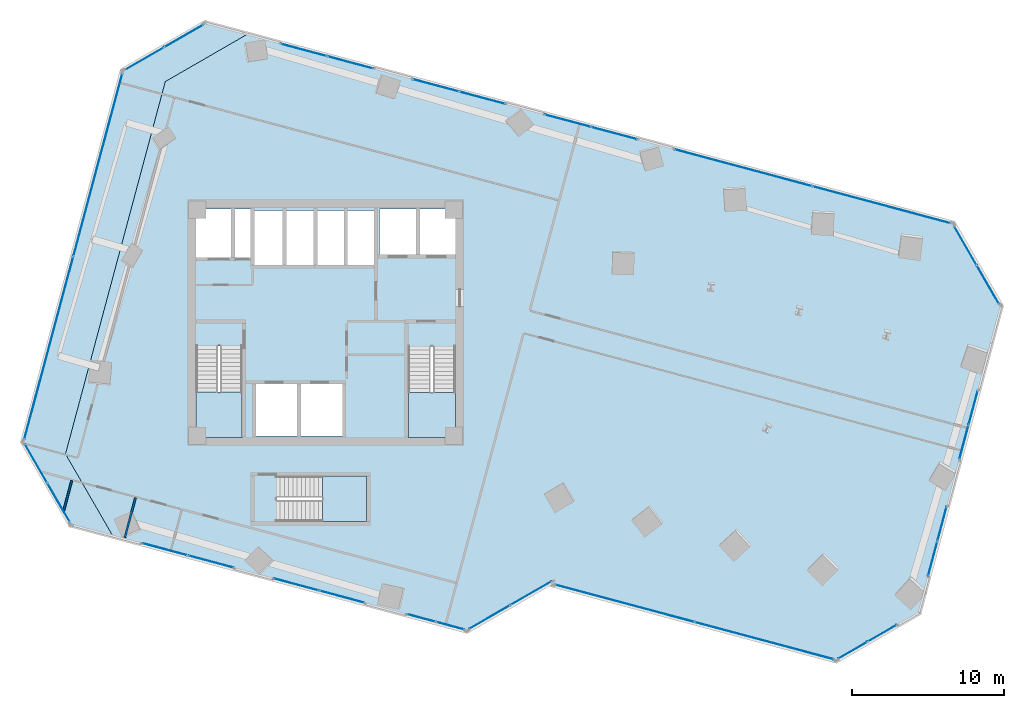
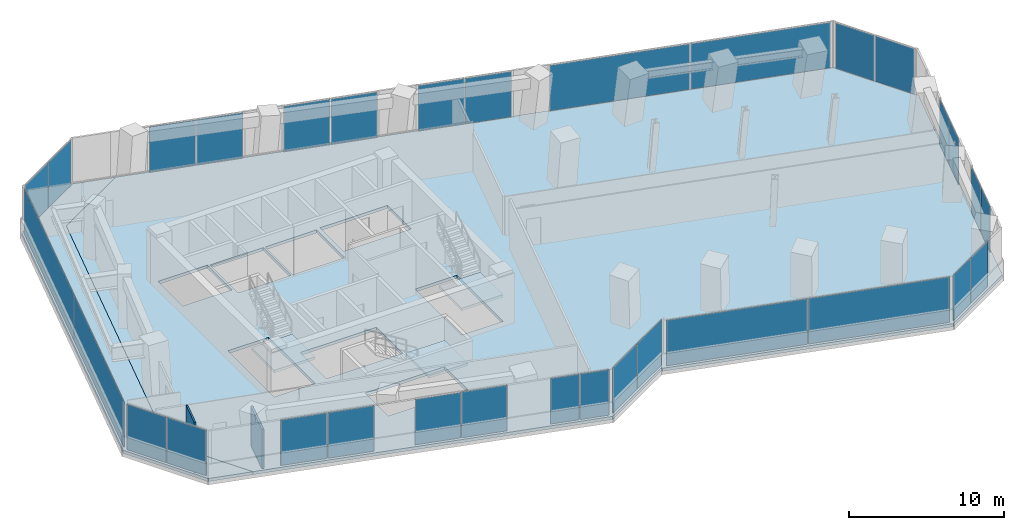
# One storey, part 19 of 26: 32 plates, 5 slabs, 2 walls, 19 elements without a shape of their own.
"""IFC4 building model written with IfcOpenShell, lengths in metres."""

from ifc_helpers import new_model, si_unit, direction, frame, frame_2d, origin, origin_2d, place, context, subcontext, project, spatial, polyline, rectangle, outline, extrude, source, transform, mapped, material, layer, layer_set, type_object, element, aggregate, save


model = new_model("IFC4")

# Units and contexts
model_context = context("Model", 3, precision=1e-05, world=origin(), true_north=direction((0.0, 1.0)))
body_context = subcontext(model_context, "Body", "Model", "MODEL_VIEW")
ifc_project = project(units=[si_unit("LENGTHUNIT", "METRE"), si_unit("AREAUNIT", "SQUARE_METRE"), si_unit("VOLUMEUNIT", "CUBIC_METRE"), si_unit("PLANEANGLEUNIT", "RADIAN"), si_unit("MASSUNIT", "GRAM", prefix="KILO")], contexts=[model_context])

# Site, building, storey
site_placement = place(None, origin())
site = spatial("IfcSite", under=ifc_project, at=site_placement, CompositionType="ELEMENT")
building_placement = place(site_placement, origin())
building = spatial("IfcBuilding", under=site, at=building_placement, Name="Torre Montelarca", CompositionType="ELEMENT")
storey_placement = place(building_placement, frame((0.0, 0.0, 104.199951171875)))
storey = spatial("IfcBuildingStorey", under=building, at=storey_placement, Name="L23", CompositionType="ELEMENT", Elevation=104.199951171875)

# Slabs
ifc_material_1 = material(Name="Concrete C40/50", Category="concrete")
ifc_layer_1 = layer(ifc_material_1, 0.239990234375, Name="Concrete C40/50", Category="concrete")
ifc_layer_set_1 = layer_set([ifc_layer_1], Name="Concrete C40/50")
slab_type_1 = type_object("IfcSlabType", Name="SL-FLR-240", PredefinedType="FLOOR", material=ifc_layer_set_1)
slab_1_placement = place(storey_placement, frame((0.0, 0.0, -0.239990234375)))
element("IfcSlab", 1, at=slab_1_placement, inside=storey, type_object=slab_type_1, Name="L23 Structural Floor Slab", PredefinedType="FLOOR", context=body_context, shape_type="SweptSolid", body=[
    extrude(outline(polyline([(27.318115234375, 11.59912109375), (32.829345703125, 14.781005859375), (32.8037109375, 14.684326171875), (51.63916015625, 9.637451171875), (57.150390625, 12.8193359375), (62.585693359375, 33.10400390625), (59.40380859375, 38.615234375), (12.942626953125, 51.064453125), (7.431396484375, 47.88232421875), (0.857421875, 23.347900390625), (4.039306640625, 17.836669921875), (27.318115234375, 11.59912109375)]), holes=[polyline([(20.699951171875, 18.89990234375), (14.760009765625, 18.89990234375), (14.760009765625, 21.889892578125), (20.699951171875, 21.889892578125), (20.699951171875, 18.89990234375)]), polyline([(19.10009765625, 24.550048828125), (13.39990234375, 24.550048828125), (13.39990234375, 27.949951171875), (19.10009765625, 27.949951171875), (19.10009765625, 24.550048828125)]), polyline([(23.43994140625, 24.449951171875), (23.43994140625, 30.429931640625), (26.550048828125, 30.429931640625), (26.550048828125, 24.449951171875), (23.43994140625, 24.449951171875)]), polyline([(9.449951171875, 24.449951171875), (9.449951171875, 30.4599609375), (12.5, 30.4599609375), (12.5, 24.449951171875), (9.449951171875, 24.449951171875)]), polyline([(17.25, 35.800048828125), (13.300048828125, 35.800048828125), (13.300048828125, 39.39990234375), (17.25, 39.39990234375), (17.25, 35.800048828125)]), polyline([(21.25, 35.800048828125), (17.39990234375, 35.800048828125), (17.39990234375, 39.39990234375), (21.25, 39.39990234375), (21.25, 35.800048828125)]), polyline([(13.1201171875, 36.300048828125), (9.449951171875, 36.300048828125), (9.449951171875, 39.5), (13.1201171875, 39.5), (13.1201171875, 36.300048828125)]), polyline([(26.60009765625, 36.449951171875), (21.550048828125, 36.449951171875), (21.550048828125, 39.5), (26.60009765625, 39.5), (26.60009765625, 36.449951171875)])]), origin(), (0.0, 0.0, 1.0), 0.239990234375),
])
slab_2_placement = place(storey_placement, frame((0.0, 0.0, -0.239990234375)))
element("IfcSlab", 2, at=slab_2_placement, inside=storey, type_object=slab_type_1, Name="L23 Sliding Tray Winter Garden Floor Slab W1", PredefinedType="FLOOR", context=body_context, shape_type="SweptSolid", body=[
    extrude(outline(polyline([(4.039306640625, 17.836669921875), (0.857421875, 23.347900390625), (7.431396484375, 47.88232421875), (12.942626953125, 51.064453125), (10.044921875, 51.8408203125), (4.533447265625, 48.658935546875), (-2.04052734375, 24.12451171875), (1.1416015625, 18.613037109375), (4.039306640625, 17.836669921875)])), origin(), (0.0, 0.0, 1.0), 0.239990234375),
])

# Stair, slab
stair_type_1 = type_object("IfcStairType", Name="ST-CORE-ST1", PredefinedType="HALF_TURN_STAIR", material=ifc_material_1)
stair_1_placement = place(storey_placement, origin())
stair_1 = element("IfcStair", 3, at=stair_1_placement, inside=storey, type_object=stair_type_1, Name="L23 Protected Exit Stair ST1", PredefinedType="HALF_TURN_STAIR")
ifc_layer_2 = layer(ifc_material_1, 0.199951171875, Name="Concrete C40/50", Category="concrete")
ifc_layer_set_2 = layer_set([ifc_layer_2], Name="Concrete C40/50")
slab_type_2 = type_object("IfcSlabType", Name="SL-ST-LAND-ST1", PredefinedType="LANDING", material=ifc_layer_set_2)
slab_3_placement = place(storey_placement, frame((0.0, 0.0, 1.900146484375)))
slab_3 = element("IfcSlab", 4, at=slab_3_placement, type_object=slab_type_2, Name="ST1 landing 1", PredefinedType="LANDING", context=body_context, shape_type="SweptSolid", body=[
    extrude(outline(polyline([(9.449951171875, 27.419921875), (9.449951171875, 24.449951171875), (12.5, 24.449951171875), (12.5, 27.419921875), (9.449951171875, 27.419921875)])), origin(), (0.0, 0.0, 1.0), 0.199951171875),
])
aggregate(stair_1, [slab_3])

stair_type_2 = type_object("IfcStairType", Name="ST-CORE-ST2", PredefinedType="HALF_TURN_STAIR", material=ifc_material_1)
stair_2_placement = place(storey_placement, origin())
stair_2 = element("IfcStair", 5, at=stair_2_placement, inside=storey, type_object=stair_type_2, Name="L23 Protected Exit Stair ST2", PredefinedType="HALF_TURN_STAIR")
ifc_layer_3 = layer(ifc_material_1, 0.199951171875, Name="Concrete C40/50", Category="concrete")
ifc_layer_set_3 = layer_set([ifc_layer_3], Name="Concrete C40/50")
slab_type_3 = type_object("IfcSlabType", Name="SL-ST-LAND-ST2", PredefinedType="LANDING", material=ifc_layer_set_3)
slab_4_placement = place(storey_placement, frame((0.0, 0.0, 1.900146484375)))
slab_4 = element("IfcSlab", 6, at=slab_4_placement, type_object=slab_type_3, Name="ST2 landing 1", PredefinedType="LANDING", context=body_context, shape_type="SweptSolid", body=[
    extrude(outline(polyline([(23.43994140625, 27.389892578125), (23.43994140625, 24.449951171875), (26.550048828125, 24.449951171875), (26.550048828125, 27.389892578125), (23.43994140625, 27.389892578125)])), origin(), (0.0, 0.0, 1.0), 0.199951171875),
])
aggregate(stair_2, [slab_4])

stair_type_3 = type_object("IfcStairType", Name="ST-CORE-ST3", PredefinedType="HALF_TURN_STAIR", material=ifc_material_1)
stair_3_placement = place(storey_placement, origin())
stair_3 = element("IfcStair", 7, at=stair_3_placement, inside=storey, type_object=stair_type_3, Name="L23 Low-Rise Exit Stair ST3", PredefinedType="HALF_TURN_STAIR")
ifc_layer_4 = layer(ifc_material_1, 0.199951171875, Name="Concrete C40/50", Category="concrete")
ifc_layer_set_4 = layer_set([ifc_layer_4], Name="Concrete C40/50")
slab_type_4 = type_object("IfcSlabType", Name="SL-ST-LAND-ST3", PredefinedType="LANDING", material=ifc_layer_set_4)
slab_5_placement = place(storey_placement, frame((0.0, 0.0, 1.900146484375)))
slab_5 = element("IfcSlab", 8, at=slab_5_placement, type_object=slab_type_4, Name="ST3 landing 1", PredefinedType="LANDING", context=body_context, shape_type="SweptSolid", body=[
    extrude(outline(polyline([(17.800048828125, 18.89990234375), (20.699951171875, 18.89990234375), (20.699951171875, 21.889892578125), (17.800048828125, 21.889892578125), (17.800048828125, 18.89990234375)])), origin(), (0.0, 0.0, 1.0), 0.199951171875),
])
aggregate(stair_3, [slab_5])

# Curtain wall, plates
ifc_material_2 = material(Name="Insulated low-E laminated glass", Category="glass")
curtain_wall_type = type_object("IfcCurtainWallType", Name="CW-SYS-Z1", PredefinedType="USERDEFINED", material=ifc_material_2)
curtain_wall_1_placement = place(storey_placement, origin())
curtain_wall_1 = element("IfcCurtainWall", 9, at=curtain_wall_1_placement, inside=storey, type_object=curtain_wall_type, Name="L23 Curtain Wall Run CW-T3-L23-E01-B2", ObjectType="UNITISED GLAZING", PredefinedType="USERDEFINED")
ifc_layer_5 = layer(ifc_material_2, 0.028076171875, Name="Insulated low-E laminated glass", Category="glass")
ifc_layer_set_5 = layer_set([ifc_layer_5], Name="Insulated low-E laminated glass")
plate_type = type_object("IfcPlateType", Name="CWP-GLZ-28", PredefinedType="CURTAIN_PANEL", material=ifc_layer_set_5)
shared_shape_1 = source(origin(), body_context, "Body", "SweptSolid", [
    extrude(rectangle(XDim=3.046630859375, YDim=0.028076171875, at=origin_2d()), origin(), (0.0, 0.0, 1.0), 3.590087890625),
])
plate_1_placement = place(storey_placement, frame((16.068115234375, 14.748046875, 0.06494140625), z_axis=(0.0, 0.0, 1.0), x_axis=(0.965924911302, -0.258822459858, 0.0)))
plate_1 = element("IfcPlate", 10, at=plate_1_placement, type_object=plate_type, Name="CW panel 1.1", PredefinedType="CURTAIN_PANEL", context=body_context, shape_type="MappedRepresentation", body=[
    mapped(shared_shape_1, transform((0.0, 0.0, 0.0), scale=1.0)),
])
plate_2_placement = place(storey_placement, frame((19.073974609375, 13.942626953125, 0.06494140625), z_axis=(0.0, 0.0, 1.0), x_axis=(0.965924911302, -0.258822459858, 0.0)))
plate_2 = element("IfcPlate", 11, at=plate_2_placement, type_object=plate_type, Name="CW panel 2.1", PredefinedType="CURTAIN_PANEL", context=body_context, shape_type="MappedRepresentation", body=[
    mapped(shared_shape_1, transform((0.0, 0.0, 0.0), scale=1.0)),
])
aggregate(curtain_wall_1, [plate_1, plate_2])

curtain_wall_2_placement = place(storey_placement, origin())
curtain_wall_2 = element("IfcCurtainWall", 12, at=curtain_wall_2_placement, inside=storey, type_object=curtain_wall_type, Name="L23 Curtain Wall Run CW-T3-L23-E02-B1", ObjectType="UNITISED GLAZING", PredefinedType="USERDEFINED")
shared_shape_2 = source(origin(), body_context, "Body", "SweptSolid", [
    extrude(rectangle(XDim=3.102294921875, YDim=0.028076171875, at=origin_2d()), origin(), (0.0, 0.0, 1.0), 3.590087890625),
])
plate_3_placement = place(storey_placement, frame((28.79638671875, 12.6025390625, 0.06494140625), z_axis=(0.0, 0.0, 1.0), x_axis=(0.86602477194, 0.500001094386, 0.0)))
plate_3 = element("IfcPlate", 13, at=plate_3_placement, type_object=plate_type, Name="CW panel 1.1", PredefinedType="CURTAIN_PANEL", context=body_context, shape_type="MappedRepresentation", body=[
    mapped(shared_shape_2, transform((0.0, 0.0, 0.0), scale=1.0)),
])
plate_4_placement = place(storey_placement, frame((31.539306640625, 14.186279296875, 0.06494140625), z_axis=(0.0, 0.0, 1.0), x_axis=(0.86602477194, 0.500001094386, 0.0)))
plate_4 = element("IfcPlate", 14, at=plate_4_placement, type_object=plate_type, Name="CW panel 2.1", PredefinedType="CURTAIN_PANEL", context=body_context, shape_type="MappedRepresentation", body=[
    mapped(shared_shape_2, transform((0.0, 0.0, 0.0), scale=1.0)),
])
aggregate(curtain_wall_2, [plate_3, plate_4])

curtain_wall_3_placement = place(storey_placement, origin())
curtain_wall_3 = element("IfcCurtainWall", 15, at=curtain_wall_3_placement, inside=storey, type_object=curtain_wall_type, Name="L23 Curtain Wall Run CW-T3-L23-E07-B1", ObjectType="UNITISED GLAZING", PredefinedType="USERDEFINED")
shared_shape_3 = source(origin(), body_context, "Body", "SweptSolid", [
    extrude(rectangle(XDim=2.918701171875, YDim=0.028076171875, at=origin_2d()), origin(), (0.0, 0.0, 1.0), 3.590087890625),
])
plate_5_placement = place(storey_placement, frame((61.6279296875, 34.502685546875, 0.06494140625), z_axis=(0.0, 0.0, 1.0), x_axis=(-0.500008014176, 0.866020776749, 0.0)))
plate_5 = element("IfcPlate", 16, at=plate_5_placement, type_object=plate_type, Name="CW panel 1.1", PredefinedType="CURTAIN_PANEL", context=body_context, shape_type="MappedRepresentation", body=[
    mapped(shared_shape_3, transform((0.0, 0.0, 0.0), scale=1.0)),
])
plate_6_placement = place(storey_placement, frame((60.13623046875, 37.08642578125, 0.06494140625), z_axis=(0.0, 0.0, 1.0), x_axis=(-0.500008014176, 0.866020776749, 0.0)))
plate_6 = element("IfcPlate", 17, at=plate_6_placement, type_object=plate_type, Name="CW panel 2.1", PredefinedType="CURTAIN_PANEL", context=body_context, shape_type="MappedRepresentation", body=[
    mapped(shared_shape_3, transform((0.0, 0.0, 0.0), scale=1.0)),
])
aggregate(curtain_wall_3, [plate_5, plate_6])

curtain_wall_4_placement = place(storey_placement, origin())
curtain_wall_4 = element("IfcCurtainWall", 18, at=curtain_wall_4_placement, inside=storey, type_object=curtain_wall_type, Name="L23 Curtain Wall Run CW-T3-L23-E09-B1", ObjectType="UNITISED GLAZING", PredefinedType="USERDEFINED")
plate_7_placement = place(storey_placement, frame((8.646240234375, 50.88330078125, 0.06494140625), z_axis=(0.0, 0.0, 1.0), x_axis=(-0.866024921148, -0.50000083595, 0.0)))
plate_7 = element("IfcPlate", 19, at=plate_7_placement, type_object=plate_type, Name="CW panel 1.1", PredefinedType="CURTAIN_PANEL", context=body_context, shape_type="MappedRepresentation", body=[
    mapped(shared_shape_3, transform((0.0, 0.0, 0.0), scale=1.0)),
])
plate_8_placement = place(storey_placement, frame((6.062255859375, 49.391357421875, 0.06494140625), z_axis=(0.0, 0.0, 1.0), x_axis=(-0.866024921148, -0.50000083595, 0.0)))
plate_8 = element("IfcPlate", 20, at=plate_8_placement, type_object=plate_type, Name="CW panel 2.1", PredefinedType="CURTAIN_PANEL", context=body_context, shape_type="MappedRepresentation", body=[
    mapped(shared_shape_3, transform((0.0, 0.0, 0.0), scale=1.0)),
])
aggregate(curtain_wall_4, [plate_7, plate_8])

curtain_wall_5_placement = place(storey_placement, origin())
curtain_wall_5 = element("IfcCurtainWall", 21, at=curtain_wall_5_placement, inside=storey, type_object=curtain_wall_type, Name="L23 Curtain Wall Run CW-T3-L23-E11-B1", ObjectType="UNITISED GLAZING", PredefinedType="USERDEFINED")
plate_9_placement = place(storey_placement, frame((-1.082763671875, 22.7255859375, 0.06494140625), z_axis=(0.0, 0.0, 1.0), x_axis=(0.50000083595, -0.866024921148, 0.0)))
plate_9 = element("IfcPlate", 22, at=plate_9_placement, type_object=plate_type, Name="CW panel 1.1", PredefinedType="CURTAIN_PANEL", context=body_context, shape_type="MappedRepresentation", body=[
    mapped(shared_shape_3, transform((0.0, 0.0, 0.0), scale=1.0)),
])
plate_10_placement = place(storey_placement, frame((0.408935546875, 20.1416015625, 0.06494140625), z_axis=(0.0, 0.0, 1.0), x_axis=(0.50000083595, -0.866024921148, 0.0)))
plate_10 = element("IfcPlate", 23, at=plate_10_placement, type_object=plate_type, Name="CW panel 2.1", PredefinedType="CURTAIN_PANEL", context=body_context, shape_type="MappedRepresentation", body=[
    mapped(shared_shape_3, transform((0.0, 0.0, 0.0), scale=1.0)),
])
aggregate(curtain_wall_5, [plate_9, plate_10])

curtain_wall_6_placement = place(storey_placement, origin())
curtain_wall_6 = element("IfcCurtainWall", 24, at=curtain_wall_6_placement, inside=storey, type_object=curtain_wall_type, Name="L23 Curtain Wall Run CW-T3-L23-E08-B2", ObjectType="UNITISED GLAZING", PredefinedType="USERDEFINED")
shared_shape_4 = source(origin(), body_context, "Body", "SweptSolid", [
    extrude(rectangle(XDim=3.10791015625, YDim=0.028076171875, at=origin_2d()), origin(), (0.0, 0.0, 1.0), 3.590087890625),
])
plate_11_placement = place(storey_placement, frame((37.009765625, 44.481201171875, 0.06494140625), z_axis=(0.0, 0.0, 1.0), x_axis=(-0.965926675806, 0.258815874642, 0.0)))
plate_11 = element("IfcPlate", 25, at=plate_11_placement, type_object=plate_type, Name="CW panel 1.1", PredefinedType="CURTAIN_PANEL", context=body_context, shape_type="MappedRepresentation", body=[
    mapped(shared_shape_4, transform((0.0, 0.0, 0.0), scale=1.0)),
])
plate_12_placement = place(storey_placement, frame((33.945068359375, 45.30224609375, 0.06494140625), z_axis=(0.0, 0.0, 1.0), x_axis=(-0.965926675806, 0.258815874642, 0.0)))
plate_12 = element("IfcPlate", 26, at=plate_12_placement, type_object=plate_type, Name="CW panel 2.1", PredefinedType="CURTAIN_PANEL", context=body_context, shape_type="MappedRepresentation", body=[
    mapped(shared_shape_4, transform((0.0, 0.0, 0.0), scale=1.0)),
])
aggregate(curtain_wall_6, [plate_11, plate_12])

curtain_wall_7_placement = place(storey_placement, origin())
curtain_wall_7 = element("IfcCurtainWall", 27, at=curtain_wall_7_placement, inside=storey, type_object=curtain_wall_type, Name="L23 Curtain Wall Run CW-T3-L23-E08-B3", ObjectType="UNITISED GLAZING", PredefinedType="USERDEFINED")
shared_shape_5 = source(origin(), body_context, "Body", "SweptSolid", [
    extrude(rectangle(XDim=3.10693359375, YDim=0.028076171875, at=origin_2d()), origin(), (0.0, 0.0, 1.0), 3.590087890625),
])
plate_13_placement = place(storey_placement, frame((28.317138671875, 46.810302734375, 0.06494140625), z_axis=(0.0, 0.0, 1.0), x_axis=(-0.965925275703, 0.258821099911, 0.0)))
plate_13 = element("IfcPlate", 28, at=plate_13_placement, type_object=plate_type, Name="CW panel 1.1", PredefinedType="CURTAIN_PANEL", context=body_context, shape_type="MappedRepresentation", body=[
    mapped(shared_shape_5, transform((0.0, 0.0, 0.0), scale=1.0)),
])
plate_14_placement = place(storey_placement, frame((25.253173828125, 47.631103515625, 0.06494140625), z_axis=(0.0, 0.0, 1.0), x_axis=(-0.965925275703, 0.258821099911, 0.0)))
plate_14 = element("IfcPlate", 29, at=plate_14_placement, type_object=plate_type, Name="CW panel 2.1", PredefinedType="CURTAIN_PANEL", context=body_context, shape_type="MappedRepresentation", body=[
    mapped(shared_shape_5, transform((0.0, 0.0, 0.0), scale=1.0)),
])
aggregate(curtain_wall_7, [plate_13, plate_14])

curtain_wall_8_placement = place(storey_placement, origin())
curtain_wall_8 = element("IfcCurtainWall", 30, at=curtain_wall_8_placement, inside=storey, type_object=curtain_wall_type, Name="L23 Curtain Wall Run CW-T3-L23-E08-B4", ObjectType="UNITISED GLAZING", PredefinedType="USERDEFINED")
shared_shape_6 = source(origin(), body_context, "Body", "SweptSolid", [
    extrude(rectangle(XDim=3.105712890625, YDim=0.028076171875, at=origin_2d()), origin(), (0.0, 0.0, 1.0), 3.590087890625),
])
plate_15_placement = place(storey_placement, frame((19.624267578125, 49.1396484375, 0.06494140625), z_axis=(0.0, 0.0, 1.0), x_axis=(-0.965926731327, 0.258815667433, 0.0)))
plate_15 = element("IfcPlate", 31, at=plate_15_placement, type_object=plate_type, Name="CW panel 1.1", PredefinedType="CURTAIN_PANEL", context=body_context, shape_type="MappedRepresentation", body=[
    mapped(shared_shape_6, transform((0.0, 0.0, 0.0), scale=1.0)),
])
plate_16_placement = place(storey_placement, frame((16.5615234375, 49.960205078125, 0.06494140625), z_axis=(0.0, 0.0, 1.0), x_axis=(-0.965926731327, 0.258815667433, 0.0)))
plate_16 = element("IfcPlate", 32, at=plate_16_placement, type_object=plate_type, Name="CW panel 2.1", PredefinedType="CURTAIN_PANEL", context=body_context, shape_type="MappedRepresentation", body=[
    mapped(shared_shape_6, transform((0.0, 0.0, 0.0), scale=1.0)),
])
aggregate(curtain_wall_8, [plate_15, plate_16])

curtain_wall_9_placement = place(storey_placement, origin())
curtain_wall_9 = element("IfcCurtainWall", 33, at=curtain_wall_9_placement, inside=storey, type_object=curtain_wall_type, Name="L23 Curtain Wall Run CW-T3-L23-E01-B3", ObjectType="UNITISED GLAZING", PredefinedType="USERDEFINED")
shared_shape_7 = source(origin(), body_context, "Body", "SweptSolid", [
    extrude(rectangle(XDim=1.9169921875, YDim=0.028076171875, at=origin_2d()), origin(), (0.0, 0.0, 1.0), 3.590087890625),
])
plate_17_placement = place(storey_placement, frame((24.288330078125, 12.54541015625, 0.06494140625), z_axis=(0.0, 0.0, 1.0), x_axis=(0.965926115875, -0.258817964349, 0.0)))
plate_17 = element("IfcPlate", 34, at=plate_17_placement, type_object=plate_type, Name="CW panel 1.1", PredefinedType="CURTAIN_PANEL", context=body_context, shape_type="MappedRepresentation", body=[
    mapped(shared_shape_7, transform((0.0, 0.0, 0.0), scale=1.0)),
])
plate_18_placement = place(storey_placement, frame((26.202880859375, 12.032470703125, 0.06494140625), z_axis=(0.0, 0.0, 1.0), x_axis=(0.965926115875, -0.258817964349, 0.0)))
plate_18 = element("IfcPlate", 35, at=plate_18_placement, type_object=plate_type, Name="CW panel 2.1", PredefinedType="CURTAIN_PANEL", context=body_context, shape_type="MappedRepresentation", body=[
    mapped(shared_shape_7, transform((0.0, 0.0, 0.0), scale=1.0)),
])
aggregate(curtain_wall_9, [plate_17, plate_18])

curtain_wall_10_placement = place(storey_placement, origin())
curtain_wall_10 = element("IfcCurtainWall", 36, at=curtain_wall_10_placement, inside=storey, type_object=curtain_wall_type, Name="L23 Curtain Wall Run CW-T3-L23-E04-B1", ObjectType="UNITISED GLAZING", PredefinedType="USERDEFINED")
shared_shape_8 = source(origin(), body_context, "Body", "SweptSolid", [
    extrude(rectangle(XDim=9.448486328125, YDim=0.028076171875, at=origin_2d()), origin(), (0.0, 0.0, 1.0), 3.590087890625),
])
plate_19_placement = place(storey_placement, frame((37.697021484375, 13.5078125, 0.06494140625), z_axis=(0.0, 0.0, 1.0), x_axis=(0.965924671712, -0.258823354003, 0.0)))
plate_19 = element("IfcPlate", 37, at=plate_19_placement, type_object=plate_type, Name="CW panel 1.1", PredefinedType="CURTAIN_PANEL", context=body_context, shape_type="MappedRepresentation", body=[
    mapped(shared_shape_8, transform((0.0, 0.0, 0.0), scale=1.0)),
])
plate_20_placement = place(storey_placement, frame((46.886474609375, 11.04541015625, 0.06494140625), z_axis=(0.0, 0.0, 1.0), x_axis=(0.965924671712, -0.258823354003, 0.0)))
plate_20 = element("IfcPlate", 38, at=plate_20_placement, type_object=plate_type, Name="CW panel 2.1", PredefinedType="CURTAIN_PANEL", context=body_context, shape_type="MappedRepresentation", body=[
    mapped(shared_shape_8, transform((0.0, 0.0, 0.0), scale=1.0)),
])
aggregate(curtain_wall_10, [plate_19, plate_20])

curtain_wall_11_placement = place(storey_placement, origin())
curtain_wall_11 = element("IfcCurtainWall", 39, at=curtain_wall_11_placement, inside=storey, type_object=curtain_wall_type, Name="L23 Curtain Wall Run CW-T3-L23-E10-B1", ObjectType="UNITISED GLAZING", PredefinedType="USERDEFINED")
shared_shape_9 = source(origin(), body_context, "Body", "SweptSolid", [
    extrude(rectangle(XDim=12.4365234375, YDim=0.028076171875, at=origin_2d()), origin(), (0.0, 0.0, 1.0), 3.590087890625),
])
plate_21_placement = place(storey_placement, frame((2.989990234375, 42.395751953125, 0.06494140625), z_axis=(0.0, 0.0, 1.0), x_axis=(-0.258818235755, -0.965926043153, 0.0)))
plate_21 = element("IfcPlate", 40, at=plate_21_placement, type_object=plate_type, Name="CW panel 1.1", PredefinedType="CURTAIN_PANEL", context=body_context, shape_type="MappedRepresentation", body=[
    mapped(shared_shape_9, transform((0.0, 0.0, 0.0), scale=1.0)),
])
plate_22_placement = place(storey_placement, frame((-0.245849609375, 30.3203125, 0.06494140625), z_axis=(0.0, 0.0, 1.0), x_axis=(-0.258818235755, -0.965926043153, 0.0)))
plate_22 = element("IfcPlate", 41, at=plate_22_placement, type_object=plate_type, Name="CW panel 2.1", PredefinedType="CURTAIN_PANEL", context=body_context, shape_type="MappedRepresentation", body=[
    mapped(shared_shape_9, transform((0.0, 0.0, 0.0), scale=1.0)),
])
aggregate(curtain_wall_11, [plate_21, plate_22])

curtain_wall_12_placement = place(storey_placement, origin())
curtain_wall_12 = element("IfcCurtainWall", 42, at=curtain_wall_12_placement, inside=storey, type_object=curtain_wall_type, Name="L23 Curtain Wall Run CW-T3-L23-E05-B1", ObjectType="UNITISED GLAZING", PredefinedType="USERDEFINED")
shared_shape_10 = source(origin(), body_context, "Body", "SweptSolid", [
    extrude(rectangle(XDim=2.17919921875, YDim=0.028076171875, at=origin_2d()), origin(), (0.0, 0.0, 1.0), 3.590087890625),
])
plate_23_placement = place(storey_placement, frame((52.717529296875, 10.41015625, 0.06494140625), z_axis=(0.0, 0.0, 1.0), x_axis=(0.866023576716, 0.500003164563, 0.0)))
plate_23 = element("IfcPlate", 43, at=plate_23_placement, type_object=plate_type, Name="CW panel 1.1", PredefinedType="CURTAIN_PANEL", context=body_context, shape_type="MappedRepresentation", body=[
    mapped(shared_shape_10, transform((0.0, 0.0, 0.0), scale=1.0)),
])
plate_24_placement = place(storey_placement, frame((54.6611328125, 11.532470703125, 0.06494140625), z_axis=(0.0, 0.0, 1.0), x_axis=(0.866023576716, 0.500003164563, 0.0)))
plate_24 = element("IfcPlate", 44, at=plate_24_placement, type_object=plate_type, Name="CW panel 2.1", PredefinedType="CURTAIN_PANEL", context=body_context, shape_type="MappedRepresentation", body=[
    mapped(shared_shape_10, transform((0.0, 0.0, 0.0), scale=1.0)),
])
aggregate(curtain_wall_12, [plate_23, plate_24])

curtain_wall_13_placement = place(storey_placement, origin())
curtain_wall_13 = element("IfcCurtainWall", 45, at=curtain_wall_13_placement, inside=storey, type_object=curtain_wall_type, Name="L23 Curtain Wall Run CW-T3-L23-E06-B1", ObjectType="UNITISED GLAZING", PredefinedType="USERDEFINED")
shared_shape_11 = source(origin(), body_context, "Body", "SweptSolid", [
    extrude(rectangle(XDim=2.31494140625, YDim=0.028076171875, at=origin_2d()), origin(), (0.0, 0.0, 1.0), 3.590087890625),
])
plate_25_placement = place(storey_placement, frame((57.98974609375, 16.45361328125, 0.06494140625), z_axis=(0.0, 0.0, 1.0), x_axis=(0.258813089195, 0.96592742215, 0.0)))
plate_25 = element("IfcPlate", 46, at=plate_25_placement, type_object=plate_type, Name="CW panel 1.1", PredefinedType="CURTAIN_PANEL", context=body_context, shape_type="MappedRepresentation", body=[
    mapped(shared_shape_11, transform((0.0, 0.0, 0.0), scale=1.0)),
])
plate_26_placement = place(storey_placement, frame((58.605712890625, 18.75244140625, 0.06494140625), z_axis=(0.0, 0.0, 1.0), x_axis=(0.258813089195, 0.96592742215, 0.0)))
plate_26 = element("IfcPlate", 47, at=plate_26_placement, type_object=plate_type, Name="CW panel 2.1", PredefinedType="CURTAIN_PANEL", context=body_context, shape_type="MappedRepresentation", body=[
    mapped(shared_shape_11, transform((0.0, 0.0, 0.0), scale=1.0)),
])
aggregate(curtain_wall_13, [plate_25, plate_26])

curtain_wall_14_placement = place(storey_placement, origin())
curtain_wall_14 = element("IfcCurtainWall", 48, at=curtain_wall_14_placement, inside=storey, type_object=curtain_wall_type, Name="L23 Curtain Wall Run CW-T3-L23-E06-B2", ObjectType="UNITISED GLAZING", PredefinedType="USERDEFINED")
shared_shape_12 = source(origin(), body_context, "Body", "SweptSolid", [
    extrude(rectangle(XDim=2.314208984375, YDim=0.028076171875, at=origin_2d()), origin(), (0.0, 0.0, 1.0), 3.590087890625),
])
plate_27_placement = place(storey_placement, frame((60.040771484375, 24.108154296875, 0.06494140625), z_axis=(0.0, 0.0, 1.0), x_axis=(0.258829008682, 0.965923156501, 0.0)))
plate_27 = element("IfcPlate", 49, at=plate_27_placement, type_object=plate_type, Name="CW panel 1.1", PredefinedType="CURTAIN_PANEL", context=body_context, shape_type="MappedRepresentation", body=[
    mapped(shared_shape_12, transform((0.0, 0.0, 0.0), scale=1.0)),
])
plate_28_placement = place(storey_placement, frame((60.656494140625, 26.40625, 0.06494140625), z_axis=(0.0, 0.0, 1.0), x_axis=(0.258829008682, 0.965923156501, 0.0)))
plate_28 = element("IfcPlate", 50, at=plate_28_placement, type_object=plate_type, Name="CW panel 2.1", PredefinedType="CURTAIN_PANEL", context=body_context, shape_type="MappedRepresentation", body=[
    mapped(shared_shape_12, transform((0.0, 0.0, 0.0), scale=1.0)),
])
aggregate(curtain_wall_14, [plate_27, plate_28])

curtain_wall_15_placement = place(storey_placement, origin())
curtain_wall_15 = element("IfcCurtainWall", 51, at=curtain_wall_15_placement, inside=storey, type_object=curtain_wall_type, Name="L23 Curtain Wall Run CW-T3-L23-E08-B1", ObjectType="UNITISED GLAZING", PredefinedType="USERDEFINED")
shared_shape_13 = source(origin(), body_context, "Body", "SweptSolid", [
    extrude(rectangle(XDim=9.372802734375, YDim=0.028076171875, at=origin_2d()), origin(), (0.0, 0.0, 1.0), 3.590087890625),
])
plate_29_placement = place(storey_placement, frame((54.620361328125, 39.762451171875, 0.06494140625), z_axis=(0.0, 0.0, 1.0), x_axis=(-0.965925615966, 0.258819830038, 0.0)))
plate_29 = element("IfcPlate", 52, at=plate_29_placement, type_object=plate_type, Name="CW panel 1.1", PredefinedType="CURTAIN_PANEL", context=body_context, shape_type="MappedRepresentation", body=[
    mapped(shared_shape_13, transform((0.0, 0.0, 0.0), scale=1.0)),
])
plate_30_placement = place(storey_placement, frame((45.504150390625, 42.205078125, 0.06494140625), z_axis=(0.0, 0.0, 1.0), x_axis=(-0.965925615966, 0.258819830038, 0.0)))
plate_30 = element("IfcPlate", 53, at=plate_30_placement, type_object=plate_type, Name="CW panel 2.1", PredefinedType="CURTAIN_PANEL", context=body_context, shape_type="MappedRepresentation", body=[
    mapped(shared_shape_13, transform((0.0, 0.0, 0.0), scale=1.0)),
])
aggregate(curtain_wall_15, [plate_29, plate_30])

curtain_wall_16_placement = place(storey_placement, origin())
curtain_wall_16 = element("IfcCurtainWall", 54, at=curtain_wall_16_placement, inside=storey, type_object=curtain_wall_type, Name="L23 Curtain Wall Run CW-T3-L23-E01-B1", ObjectType="UNITISED GLAZING", PredefinedType="USERDEFINED")
shared_shape_14 = source(origin(), body_context, "Body", "SweptSolid", [
    extrude(rectangle(XDim=3.08544921875, YDim=0.028076171875, at=origin_2d()), origin(), (0.0, 0.0, 1.0), 3.590087890625),
])
plate_31_placement = place(storey_placement, frame((7.393310546875, 17.072509765625, 0.06494140625), z_axis=(0.0, 0.0, 1.0), x_axis=(0.96592449078, -0.258824029239, 0.0)))
plate_31 = element("IfcPlate", 55, at=plate_31_placement, type_object=plate_type, Name="CW panel 1.1", PredefinedType="CURTAIN_PANEL", context=body_context, shape_type="MappedRepresentation", body=[
    mapped(shared_shape_14, transform((0.0, 0.0, 0.0), scale=1.0)),
])
plate_32_placement = place(storey_placement, frame((10.4365234375, 16.257080078125, 0.06494140625), z_axis=(0.0, 0.0, 1.0), x_axis=(0.96592449078, -0.258824029239, 0.0)))
plate_32 = element("IfcPlate", 56, at=plate_32_placement, type_object=plate_type, Name="CW panel 2.1", PredefinedType="CURTAIN_PANEL", context=body_context, shape_type="MappedRepresentation", body=[
    mapped(shared_shape_14, transform((0.0, 0.0, 0.0), scale=1.0)),
])
aggregate(curtain_wall_16, [plate_31, plate_32])

# Walls
ifc_material_3 = material(Name="Gypsum plasterboard on steel stud", Category="steel")
ifc_layer_6 = layer(ifc_material_3, 0.114990234375, Name="Gypsum plasterboard on steel stud", Category="steel")
ifc_layer_set_6 = layer_set([ifc_layer_6], Name="Gypsum plasterboard on steel stud")
wall_type_1 = type_object("IfcWallType", Name="PW-PART-115", PredefinedType="PARTITIONING", material=ifc_layer_set_6)
wall_1_placement = place(storey_placement, frame((0.743408203125, 19.638916015625, 0.0), z_axis=(0.0, 0.0, 1.0), x_axis=(0.258784127083, 0.965935181868, 0.0)))
element("IfcWall", 57, at=wall_1_placement, inside=storey, type_object=wall_type_1, Name="L23 Interior Partition W-L23-WCW", PredefinedType="PARTITIONING", context=body_context, shape_type="SweptSolid", body=[
    extrude(rectangle(XDim=2.0322265625, YDim=0.114990234375, at=frame_2d((1.01611328125, 0.0))), origin(), (0.0, 0.0, 1.0), 3.9599609375),
])
ifc_layer_7 = layer(ifc_material_3, 0.135009765625, Name="Gypsum plasterboard on steel stud", Category="steel")
ifc_layer_set_7 = layer_set([ifc_layer_7], Name="Gypsum plasterboard on steel stud")
wall_type_2 = type_object("IfcWallType", Name="PW-PART-135", PredefinedType="PARTITIONING", material=ifc_layer_set_7)
wall_2_placement = place(storey_placement, frame((4.76220703125, 17.8291015625, 0.0), z_axis=(0.0, 0.0, 1.0), x_axis=(0.25874944638, 0.965944472523, 0.0)))
element("IfcWall", 58, at=wall_2_placement, inside=storey, type_object=wall_type_2, Name="L23 Interior Partition W-L23-WCD", PredefinedType="PARTITIONING", context=body_context, shape_type="SweptSolid", body=[
    extrude(rectangle(XDim=2.739990234375, YDim=0.135009765625, at=frame_2d((1.3701171875, 0.0))), origin(), (0.0, 0.0, 1.0), 3.094970703125),
])

save(model, "model.ifc")
